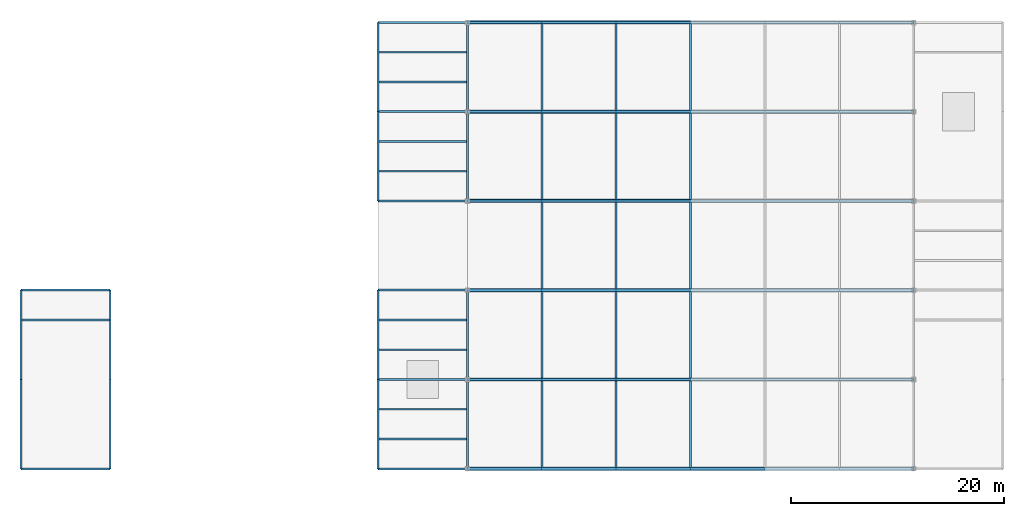
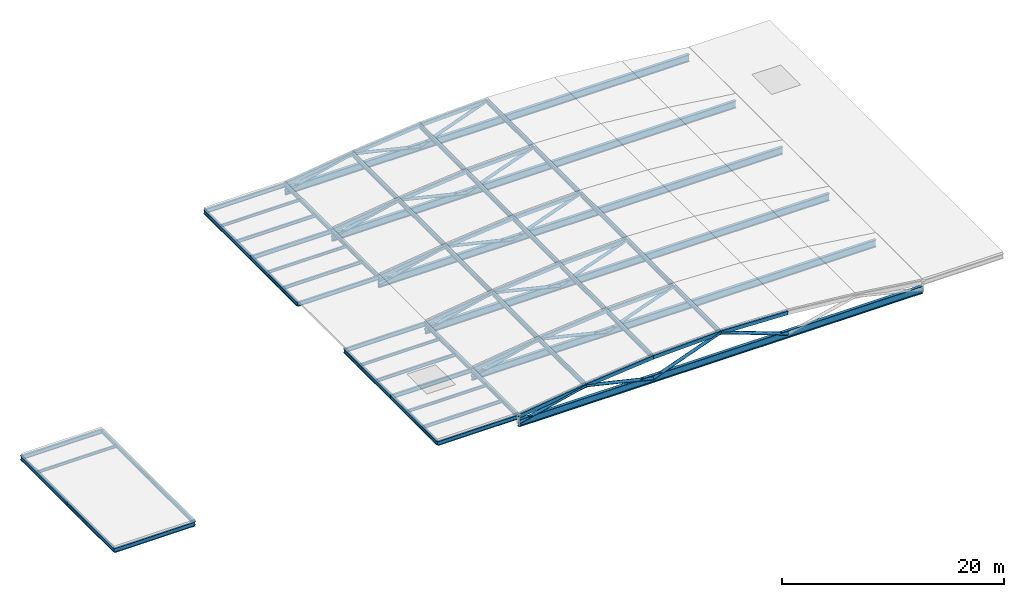
# One storey, part 1 of 11: 69 beams, 19 members.
"""IFC4 building model written with IfcOpenShell, lengths in metres."""

from ifc_helpers import new_model, si_unit, direction, frame, origin, origin_2d, place, context, subcontext, project, spatial, hollow_rectangle, hollow_circle, i_section, extrude, material, material_profile, profile_set, type_object, element, save


model = new_model("IFC4")

# Units and contexts
model_context = context("Model", 3, precision=1e-05, world=origin(), true_north=direction((0.0, 1.0)))
body_context = subcontext(model_context, "Body", "Model", "MODEL_VIEW")
ifc_project = project(units=[si_unit("LENGTHUNIT", "METRE"), si_unit("AREAUNIT", "SQUARE_METRE"), si_unit("VOLUMEUNIT", "CUBIC_METRE"), si_unit("PLANEANGLEUNIT", "RADIAN"), si_unit("MASSUNIT", "GRAM", prefix="KILO"), si_unit("THERMODYNAMICTEMPERATUREUNIT", "KELVIN"), si_unit("POWERUNIT", "WATT")], contexts=[model_context])

# Site, building, storey
site_placement = place(None, origin())
site = spatial("IfcSite", under=ifc_project, at=site_placement, CompositionType="ELEMENT")
building_placement = place(site_placement, origin())
building = spatial("IfcBuilding", under=site, at=building_placement, Name="Tembeka Court Mobility Hub", CompositionType="ELEMENT")
storey_placement = place(building_placement, frame((0.0, 0.0, 28.800048828125)))
storey = spatial("IfcBuildingStorey", under=building, at=storey_placement, Name="RF", CompositionType="ELEMENT", Elevation=28.800048828125)

# Beams
ifc_material = material(Name="Steel S355", Category="steel")
ifc_material_profile_1 = material_profile(ifc_material, i_section(OverallWidth=0.18994140625, OverallDepth=0.45703125, WebThickness=0.009033203125, FlangeThickness=0.014404296875, FilletRadius=0.01025390625, at=origin_2d()), Name="UKB 457x191x74")
ifc_profile_set_1 = profile_set([ifc_material_profile_1], Name="Steel S355")
beam_type_1 = type_object("IfcBeamType", Name="BM-B01", PredefinedType="BEAM", material=ifc_profile_set_1)
for number, where, z_axis, x_axis, name in (
    (1, (0.0, 38.39990234375, -0.45849609375), (1.0, 0.0, 0.0), (0.0, 1.0, 0.0), "Beam B01 (BM-RF-X3493)"),
    (2, (33.60009765625, 38.39990234375, -0.45849609375), (1.0, 0.0, 0.0), (0.0, 1.0, 0.0), "Beam B01 (BM-RF-X3494)"),
    (3, (33.60009765625, 46.800048828125, -0.45849609375), (1.0, 0.0, 0.0), (0.0, 1.0, 0.0), "Beam B01 (BM-RF-X3496)"),
    (4, (0.0, 55.199951171875, -0.45849609375), (1.0, 0.0, 0.0), (0.0, 1.0, 0.0), "Beam B01 (BM-RF-X3497)"),
    (5, (33.60009765625, 55.199951171875, -0.45849609375), (1.0, 0.0, 0.0), (0.0, 1.0, 0.0), "Beam B01 (BM-RF-X3498)"),
    (6, (33.60009765625, 63.60009765625, -0.45849609375), (1.0, 0.0, 0.0), (0.0, 1.0, 0.0), "Beam B01 (BM-RF-X3500)"),
    (7, (33.60009765625, 72.0, -0.45849609375), (1.0, 0.0, 0.0), (0.0, 1.0, 0.0), "Beam B01 (BM-RF-X3502)"),
    (8, (33.60009765625, 80.39990234375, -0.45849609375), (1.0, 0.0, 0.0), (0.0, 1.0, 0.0), "Beam B01 (BM-RF-X3503)"),
):
    element("IfcBeam", number, at=place(storey_placement, frame(where, z_axis=z_axis, x_axis=x_axis)), inside=storey, type_object=beam_type_1, Name=name, PredefinedType="BEAM", context=body_context, shape_type="SweptSolid", body=[
        extrude(i_section(OverallWidth=0.18994140625, OverallDepth=0.45703125, WebThickness=0.009033203125, FlangeThickness=0.014404296875, FilletRadius=0.01025390625, at=origin_2d()), origin(), (0.0, 0.0, 1.0), 8.39990234375),
    ])
ifc_material_profile_2 = material_profile(ifc_material, i_section(OverallWidth=0.177978515625, OverallDepth=0.406005859375, WebThickness=0.0078125, FlangeThickness=0.0126953125, FilletRadius=0.01025390625, at=origin_2d()), Name="UKB 406x178x60")
ifc_profile_set_2 = profile_set([ifc_material_profile_2], Name="Steel S355")
beam_type_2 = type_object("IfcBeamType", Name="BM-B02", PredefinedType="BEAM", material=ifc_profile_set_2)
beam_1_placement = place(storey_placement, frame((0.0, 38.39990234375, -0.43310546875), z_axis=(0.0, 1.0, 0.0), x_axis=(-1.0, 0.0, 0.0)))
element("IfcBeam", 9, at=beam_1_placement, inside=storey, type_object=beam_type_2, Name="Beam B02 (BM-RF-Y3505)", PredefinedType="BEAM", context=body_context, shape_type="SweptSolid", body=[
    extrude(i_section(OverallWidth=0.177978515625, OverallDepth=0.406005859375, WebThickness=0.0078125, FlangeThickness=0.0126953125, FilletRadius=0.01025390625, at=origin_2d()), origin(), (0.0, 0.0, 1.0), 8.400146484375),
])
beam_2_placement = place(storey_placement, frame((0.0, 46.800048828125, -0.43310546875), z_axis=(0.0, 1.0, 0.0), x_axis=(-1.0, 0.0, 0.0)))
element("IfcBeam", 10, at=beam_2_placement, inside=storey, type_object=beam_type_2, Name="Beam B02 (BM-RF-Y3506)", PredefinedType="BEAM", context=body_context, shape_type="SweptSolid", body=[
    extrude(i_section(OverallWidth=0.177978515625, OverallDepth=0.406005859375, WebThickness=0.0078125, FlangeThickness=0.0126953125, FilletRadius=0.01025390625, at=origin_2d()), origin(), (0.0, 0.0, 1.0), 8.39990234375),
])
beam_3_placement = place(storey_placement, frame((8.39990234375, 38.39990234375, -0.43310546875), z_axis=(0.0, 1.0, 0.0), x_axis=(-1.0, 0.0, 0.0)))
element("IfcBeam", 11, at=beam_3_placement, inside=storey, type_object=beam_type_2, Name="Beam B02 (BM-RF-Y3507)", PredefinedType="BEAM", context=body_context, shape_type="SweptSolid", body=[
    extrude(i_section(OverallWidth=0.177978515625, OverallDepth=0.406005859375, WebThickness=0.0078125, FlangeThickness=0.0126953125, FilletRadius=0.01025390625, at=origin_2d()), origin(), (0.0, 0.0, 1.0), 8.400146484375),
])
beam_4_placement = place(storey_placement, frame((8.39990234375, 46.800048828125, -0.43310546875), z_axis=(0.0, 1.0, 0.0), x_axis=(-1.0, 0.0, 0.0)))
element("IfcBeam", 12, at=beam_4_placement, inside=storey, type_object=beam_type_2, Name="Beam B02 (BM-RF-Y3508)", PredefinedType="BEAM", context=body_context, shape_type="SweptSolid", body=[
    extrude(i_section(OverallWidth=0.177978515625, OverallDepth=0.406005859375, WebThickness=0.0078125, FlangeThickness=0.0126953125, FilletRadius=0.01025390625, at=origin_2d()), origin(), (0.0, 0.0, 1.0), 8.39990234375),
])
beam_5_placement = place(storey_placement, frame((33.60009765625, 38.39990234375, -0.43310546875), z_axis=(0.0, 1.0, 0.0), x_axis=(-1.0, 0.0, 0.0)))
element("IfcBeam", 13, at=beam_5_placement, inside=storey, type_object=beam_type_2, Name="Beam B02 (BM-RF-Y3509)", PredefinedType="BEAM", context=body_context, shape_type="SweptSolid", body=[
    extrude(i_section(OverallWidth=0.177978515625, OverallDepth=0.406005859375, WebThickness=0.0078125, FlangeThickness=0.0126953125, FilletRadius=0.01025390625, at=origin_2d()), origin(), (0.0, 0.0, 1.0), 8.400146484375),
])
for number, where, z_axis, x_axis, name in (
    (14, (33.60009765625, 46.800048828125, -0.43310546875), (0.0, 1.0, 0.0), (-1.0, 0.0, 0.0), "Beam B02 (BM-RF-Y3510)"),
    (15, (33.60009765625, 63.60009765625, -0.43310546875), (0.0, 1.0, 0.0), (-1.0, 0.0, 0.0), "Beam B02 (BM-RF-Y3511)"),
    (16, (33.60009765625, 72.0, -0.43310546875), (0.0, 1.0, 0.0), (-1.0, 0.0, 0.0), "Beam B02 (BM-RF-Y3512)"),
):
    element("IfcBeam", number, at=place(storey_placement, frame(where, z_axis=z_axis, x_axis=x_axis)), inside=storey, type_object=beam_type_2, Name=name, PredefinedType="BEAM", context=body_context, shape_type="SweptSolid", body=[
        extrude(i_section(OverallWidth=0.177978515625, OverallDepth=0.406005859375, WebThickness=0.0078125, FlangeThickness=0.0126953125, FilletRadius=0.01025390625, at=origin_2d()), origin(), (0.0, 0.0, 1.0), 8.39990234375),
    ])
beam_6_placement = place(storey_placement, frame((42.0, 38.39990234375, -0.43310546875), z_axis=(0.0, 1.0, 0.0), x_axis=(-1.0, 0.0, 0.0)))
element("IfcBeam", 17, at=beam_6_placement, inside=storey, type_object=beam_type_2, Name="Beam B02 (BM-RF-Y3513)", PredefinedType="BEAM", context=body_context, shape_type="SweptSolid", body=[
    extrude(i_section(OverallWidth=0.177978515625, OverallDepth=0.406005859375, WebThickness=0.0078125, FlangeThickness=0.0126953125, FilletRadius=0.01025390625, at=origin_2d()), origin(), (0.0, 0.0, 1.0), 8.400146484375),
])
for number, where, z_axis, x_axis, name in (
    (18, (42.0, 46.800048828125, -0.43310546875), (0.0, 1.0, 0.0), (-1.0, 0.0, 0.0), "Beam B02 (BM-RF-Y3514)"),
    (19, (42.0, 63.60009765625, -0.43310546875), (0.0, 1.0, 0.0), (-1.0, 0.0, 0.0), "Beam B02 (BM-RF-Y3515)"),
    (20, (42.0, 72.0, -0.43310546875), (0.0, 1.0, 0.0), (-1.0, 0.0, 0.0), "Beam B02 (BM-RF-Y3516)"),
):
    element("IfcBeam", number, at=place(storey_placement, frame(where, z_axis=z_axis, x_axis=x_axis)), inside=storey, type_object=beam_type_2, Name=name, PredefinedType="BEAM", context=body_context, shape_type="SweptSolid", body=[
        extrude(i_section(OverallWidth=0.177978515625, OverallDepth=0.406005859375, WebThickness=0.0078125, FlangeThickness=0.0126953125, FilletRadius=0.01025390625, at=origin_2d()), origin(), (0.0, 0.0, 1.0), 8.39990234375),
    ])
ifc_material_profile_3 = material_profile(ifc_material, i_section(OverallWidth=0.18994140625, OverallDepth=0.449951171875, WebThickness=0.009521484375, FlangeThickness=0.0146484375, FilletRadius=0.02099609375, at=origin_2d()), Name="IPE 450")
ifc_profile_set_3 = profile_set([ifc_material_profile_3], Name="Steel S355")
beam_type_3 = type_object("IfcBeamType", Name="BM-B04", PredefinedType="BEAM", material=ifc_profile_set_3)
for number, where, z_axis, x_axis, name in (
    (21, (49.0, 38.52001953125, 0.474853515625), (0.0, 1.0, 0.0), (-1.0, 0.0, 0.0), "Sports vault purlin B04-1-1"),
    (22, (56.0, 38.52001953125, 1.152099609375), (0.0, 1.0, 0.0), (-1.0, 0.0, 0.0), "Sports vault purlin B04-1-2"),
    (23, (63.0, 38.52001953125, 1.39990234375), (0.0, 1.0, 0.0), (-1.0, 0.0, 0.0), "Sports vault purlin B04-1-3"),
):
    element("IfcBeam", number, at=place(storey_placement, frame(where, z_axis=z_axis, x_axis=x_axis)), inside=storey, type_object=beam_type_3, Name=name, PredefinedType="BEAM", context=body_context, shape_type="SweptSolid", body=[
        extrude(i_section(OverallWidth=0.18994140625, OverallDepth=0.449951171875, WebThickness=0.009521484375, FlangeThickness=0.0146484375, FilletRadius=0.02099609375, at=origin_2d()), origin(), (0.0, 0.0, 1.0), 8.159912109375),
    ])
for number, where, z_axis, x_axis, name in (
    (24, (49.0, 46.919921875, 0.474853515625), (0.0, 1.0, 0.0), (-1.0, 0.0, 0.0), "Sports vault purlin B04-2-1"),
    (25, (56.0, 46.919921875, 1.152099609375), (0.0, 1.0, 0.0), (-1.0, 0.0, 0.0), "Sports vault purlin B04-2-2"),
    (26, (63.0, 46.919921875, 1.39990234375), (0.0, 1.0, 0.0), (-1.0, 0.0, 0.0), "Sports vault purlin B04-2-3"),
):
    element("IfcBeam", number, at=place(storey_placement, frame(where, z_axis=z_axis, x_axis=x_axis)), inside=storey, type_object=beam_type_3, Name=name, PredefinedType="BEAM", context=body_context, shape_type="SweptSolid", body=[
        extrude(i_section(OverallWidth=0.18994140625, OverallDepth=0.449951171875, WebThickness=0.009521484375, FlangeThickness=0.0146484375, FilletRadius=0.02099609375, at=origin_2d()), origin(), (0.0, 0.0, 1.0), 8.16015625),
    ])
for number, where, z_axis, x_axis, name in (
    (27, (49.0, 55.320068359375, 0.474853515625), (0.0, 1.0, 0.0), (-1.0, 0.0, 0.0), "Sports vault purlin B04-3-1"),
    (28, (56.0, 55.320068359375, 1.152099609375), (0.0, 1.0, 0.0), (-1.0, 0.0, 0.0), "Sports vault purlin B04-3-2"),
    (29, (63.0, 55.320068359375, 1.39990234375), (0.0, 1.0, 0.0), (-1.0, 0.0, 0.0), "Sports vault purlin B04-3-3"),
    (30, (49.0, 63.719970703125, 0.474853515625), (0.0, 1.0, 0.0), (-1.0, 0.0, 0.0), "Sports vault purlin B04-4-1"),
    (31, (56.0, 63.719970703125, 1.152099609375), (0.0, 1.0, 0.0), (-1.0, 0.0, 0.0), "Sports vault purlin B04-4-2"),
    (32, (63.0, 63.719970703125, 1.39990234375), (0.0, 1.0, 0.0), (-1.0, 0.0, 0.0), "Sports vault purlin B04-4-3"),
    (33, (49.0, 72.1201171875, 0.474853515625), (0.0, 1.0, 0.0), (-1.0, 0.0, 0.0), "Sports vault purlin B04-5-1"),
    (34, (56.0, 72.1201171875, 1.152099609375), (0.0, 1.0, 0.0), (-1.0, 0.0, 0.0), "Sports vault purlin B04-5-2"),
    (35, (63.0, 72.1201171875, 1.39990234375), (0.0, 1.0, 0.0), (-1.0, 0.0, 0.0), "Sports vault purlin B04-5-3"),
):
    element("IfcBeam", number, at=place(storey_placement, frame(where, z_axis=z_axis, x_axis=x_axis)), inside=storey, type_object=beam_type_3, Name=name, PredefinedType="BEAM", context=body_context, shape_type="SweptSolid", body=[
        extrude(i_section(OverallWidth=0.18994140625, OverallDepth=0.449951171875, WebThickness=0.009521484375, FlangeThickness=0.0146484375, FilletRadius=0.02099609375, at=origin_2d()), origin(), (0.0, 0.0, 1.0), 8.159912109375),
    ])
ifc_material_profile_4 = material_profile(ifc_material, i_section(OverallWidth=0.300048828125, OverallDepth=0.800048828125, WebThickness=0.017578125, FlangeThickness=0.034912109375, FilletRadius=0.030029296875, at=origin_2d()), Name="HEB 800")
ifc_profile_set_4 = profile_set([ifc_material_profile_4], Name="Steel S355")
beam_type_4 = type_object("IfcBeamType", Name="BM-G04", PredefinedType="USERDEFINED", material=ifc_profile_set_4)
for number, where, z_axis, x_axis, name in (
    (36, (42.0, 38.39990234375, -1.150146484375), (1.0, 0.0, 0.0), (0.0, 1.0, 0.0), "Sports hall arch tie girder G04-1"),
    (37, (42.0, 46.800048828125, -1.150146484375), (1.0, 0.0, 0.0), (0.0, 1.0, 0.0), "Sports hall arch tie girder G04-2"),
    (38, (42.0, 55.199951171875, -1.150146484375), (1.0, 0.0, 0.0), (0.0, 1.0, 0.0), "Sports hall arch tie girder G04-3"),
    (39, (42.0, 63.60009765625, -1.150146484375), (1.0, 0.0, 0.0), (0.0, 1.0, 0.0), "Sports hall arch tie girder G04-4"),
    (40, (42.0, 72.0, -1.150146484375), (1.0, 0.0, 0.0), (0.0, 1.0, 0.0), "Sports hall arch tie girder G04-5"),
    (41, (42.0, 80.39990234375, -1.150146484375), (1.0, 0.0, 0.0), (0.0, 1.0, 0.0), "Sports hall arch tie girder G04-6"),
):
    element("IfcBeam", number, at=place(storey_placement, frame(where, z_axis=z_axis, x_axis=x_axis)), inside=storey, type_object=beam_type_4, Name=name, ObjectType="GIRDER", PredefinedType="USERDEFINED", context=body_context, shape_type="SweptSolid", body=[
        extrude(i_section(OverallWidth=0.300048828125, OverallDepth=0.800048828125, WebThickness=0.017578125, FlangeThickness=0.034912109375, FilletRadius=0.030029296875, at=origin_2d()), origin(), (0.0, 0.0, 1.0), 42.0),
    ])
ifc_material_profile_5 = material_profile(ifc_material, i_section(OverallWidth=0.1650390625, OverallDepth=0.303955078125, WebThickness=0.006103515625, FlangeThickness=0.01025390625, FilletRadius=0.0087890625, at=origin_2d()), Name="UKB 305x165x40")
ifc_profile_set_5 = profile_set([ifc_material_profile_5], Name="Steel S355")
beam_type_5 = type_object("IfcBeamType", Name="BM-J02", PredefinedType="JOIST", material=ifc_profile_set_5)
for number, where, z_axis, x_axis, name in (
    (42, (0.083984375, 52.39990234375, -0.382080078125), (1.0, 0.0, 0.0), (0.0, 1.0, 0.0), "Beam J02 (JST-RF-3527)"),
    (43, (33.68408203125, 44.0, -0.382080078125), (1.0, 0.0, 0.0), (0.0, 1.0, 0.0), "Beam J02 (JST-RF-3529)"),
    (44, (33.68408203125, 52.39990234375, -0.382080078125), (1.0, 0.0, 0.0), (0.0, 1.0, 0.0), "Beam J02 (JST-RF-3531)"),
    (45, (33.68408203125, 69.199951171875, -0.382080078125), (1.0, 0.0, 0.0), (0.0, 1.0, 0.0), "Beam J02 (JST-RF-3533)"),
    (46, (33.68408203125, 77.60009765625, -0.382080078125), (1.0, 0.0, 0.0), (0.0, 1.0, 0.0), "Beam J02 (JST-RF-3535)"),
):
    element("IfcBeam", number, at=place(storey_placement, frame(where, z_axis=z_axis, x_axis=x_axis)), inside=storey, type_object=beam_type_5, Name=name, PredefinedType="JOIST", context=body_context, shape_type="SweptSolid", body=[
        extrude(i_section(OverallWidth=0.1650390625, OverallDepth=0.303955078125, WebThickness=0.006103515625, FlangeThickness=0.01025390625, FilletRadius=0.0087890625, at=origin_2d()), origin(), (0.0, 0.0, 1.0), 8.23193359375),
    ])
ifc_material_profile_6 = material_profile(ifc_material, i_section(OverallWidth=0.169921875, OverallDepth=0.360107421875, WebThickness=0.008056640625, FlangeThickness=0.0126953125, FilletRadius=0.01806640625, at=origin_2d()), Name="IPE 360")
ifc_profile_set_6 = profile_set([ifc_material_profile_6], Name="Steel S355")
beam_type_6 = type_object("IfcBeamType", Name="BM-J03", PredefinedType="JOIST", material=ifc_profile_set_6)
for number, where, z_axis, x_axis, name in (
    (47, (33.68408203125, 41.199951171875, -0.41015625), (1.0, 0.0, 0.0), (0.0, 1.0, 0.0), "Beam J03 (JST-RF-3528)"),
    (48, (33.68408203125, 49.60009765625, -0.41015625), (1.0, 0.0, 0.0), (0.0, 1.0, 0.0), "Beam J03 (JST-RF-3530)"),
    (49, (33.68408203125, 66.39990234375, -0.41015625), (1.0, 0.0, 0.0), (0.0, 1.0, 0.0), "Beam J03 (JST-RF-3532)"),
    (50, (33.68408203125, 74.800048828125, -0.41015625), (1.0, 0.0, 0.0), (0.0, 1.0, 0.0), "Beam J03 (JST-RF-3534)"),
):
    element("IfcBeam", number, at=place(storey_placement, frame(where, z_axis=z_axis, x_axis=x_axis)), inside=storey, type_object=beam_type_6, Name=name, PredefinedType="JOIST", context=body_context, shape_type="SweptSolid", body=[
        extrude(i_section(OverallWidth=0.169921875, OverallDepth=0.360107421875, WebThickness=0.008056640625, FlangeThickness=0.0126953125, FilletRadius=0.01806640625, at=origin_2d()), origin(), (0.0, 0.0, 1.0), 8.23193359375),
    ])
ifc_material_profile_7 = material_profile(ifc_material, hollow_rectangle(XDim=0.199951171875, YDim=0.39990234375, WallThickness=0.012451171875, at=origin_2d()), Name="RHS 400x200x12.5")
ifc_profile_set_7 = profile_set([ifc_material_profile_7], Name="Steel S355")
beam_type_7 = type_object("IfcBeamType", Name="BM-RB02", PredefinedType="BEAM", material=ifc_profile_set_7)
beam_7_placement = place(storey_placement, frame((42.0, 38.39990234375, -0.420166015625), z_axis=(0.991380937755, 0.0, 0.131010824957), x_axis=(0.0, 1.0, 0.0)))
element("IfcBeam", 51, at=beam_7_placement, inside=storey, type_object=beam_type_7, Name="Sports hall arch rib RB02-1-1", PredefinedType="BEAM", context=body_context, shape_type="SweptSolid", body=[
    extrude(hollow_rectangle(XDim=0.199951171875, YDim=0.39990234375, WallThickness=0.012451171875, at=origin_2d()), origin(), (0.0, 0.0, 1.0), 7.060791015625),
])
beam_8_placement = place(storey_placement, frame((49.0, 38.39990234375, 0.5048828125), z_axis=(0.995352375317, 0.0, 0.09629978687), x_axis=(0.0, 1.0, 0.0)))
element("IfcBeam", 52, at=beam_8_placement, inside=storey, type_object=beam_type_7, Name="Sports hall arch rib RB02-1-2", PredefinedType="BEAM", context=body_context, shape_type="SweptSolid", body=[
    extrude(hollow_rectangle(XDim=0.199951171875, YDim=0.39990234375, WallThickness=0.012451171875, at=origin_2d()), origin(), (0.0, 0.0, 1.0), 7.03271484375),
])
for number, where, z_axis, x_axis, name in (
    (53, (56.0, 38.39990234375, 1.18212890625), (0.999373994487, 0.0, 0.035378229785), (0.0, 1.0, 0.0), "Sports hall arch rib RB02-1-3"),
    (54, (63.0, 38.39990234375, 1.429931640625), (0.999373994487, 0.0, -0.035378229785), (0.0, 1.0, 0.0), "Sports hall arch rib RB02-1-4"),
):
    element("IfcBeam", number, at=place(storey_placement, frame(where, z_axis=z_axis, x_axis=x_axis)), inside=storey, type_object=beam_type_7, Name=name, PredefinedType="BEAM", context=body_context, shape_type="SweptSolid", body=[
        extrude(hollow_rectangle(XDim=0.199951171875, YDim=0.39990234375, WallThickness=0.012451171875, at=origin_2d()), origin(), (0.0, 0.0, 1.0), 7.00439453125),
    ])
beam_9_placement = place(storey_placement, frame((42.0, 46.800048828125, -0.420166015625), z_axis=(0.991380937755, 0.0, 0.131010824957), x_axis=(0.0, 1.0, 0.0)))
element("IfcBeam", 55, at=beam_9_placement, inside=storey, type_object=beam_type_7, Name="Sports hall arch rib RB02-2-1", PredefinedType="BEAM", context=body_context, shape_type="SweptSolid", body=[
    extrude(hollow_rectangle(XDim=0.199951171875, YDim=0.39990234375, WallThickness=0.012451171875, at=origin_2d()), origin(), (0.0, 0.0, 1.0), 7.060791015625),
])
beam_10_placement = place(storey_placement, frame((49.0, 46.800048828125, 0.5048828125), z_axis=(0.995352375317, 0.0, 0.09629978687), x_axis=(0.0, 1.0, 0.0)))
element("IfcBeam", 56, at=beam_10_placement, inside=storey, type_object=beam_type_7, Name="Sports hall arch rib RB02-2-2", PredefinedType="BEAM", context=body_context, shape_type="SweptSolid", body=[
    extrude(hollow_rectangle(XDim=0.199951171875, YDim=0.39990234375, WallThickness=0.012451171875, at=origin_2d()), origin(), (0.0, 0.0, 1.0), 7.03271484375),
])
beam_11_placement = place(storey_placement, frame((56.0, 46.800048828125, 1.18212890625), z_axis=(0.999373994487, 0.0, 0.035378229785), x_axis=(0.0, 1.0, 0.0)))
element("IfcBeam", 57, at=beam_11_placement, inside=storey, type_object=beam_type_7, Name="Sports hall arch rib RB02-2-3", PredefinedType="BEAM", context=body_context, shape_type="SweptSolid", body=[
    extrude(hollow_rectangle(XDim=0.199951171875, YDim=0.39990234375, WallThickness=0.012451171875, at=origin_2d()), origin(), (0.0, 0.0, 1.0), 7.00439453125),
])
beam_12_placement = place(storey_placement, frame((42.0, 55.199951171875, -0.420166015625), z_axis=(0.991380937755, 0.0, 0.131010824957), x_axis=(0.0, 1.0, 0.0)))
element("IfcBeam", 58, at=beam_12_placement, inside=storey, type_object=beam_type_7, Name="Sports hall arch rib RB02-3-1", PredefinedType="BEAM", context=body_context, shape_type="SweptSolid", body=[
    extrude(hollow_rectangle(XDim=0.199951171875, YDim=0.39990234375, WallThickness=0.012451171875, at=origin_2d()), origin(), (0.0, 0.0, 1.0), 7.060791015625),
])
beam_13_placement = place(storey_placement, frame((49.0, 55.199951171875, 0.5048828125), z_axis=(0.995352375317, 0.0, 0.09629978687), x_axis=(0.0, 1.0, 0.0)))
element("IfcBeam", 59, at=beam_13_placement, inside=storey, type_object=beam_type_7, Name="Sports hall arch rib RB02-3-2", PredefinedType="BEAM", context=body_context, shape_type="SweptSolid", body=[
    extrude(hollow_rectangle(XDim=0.199951171875, YDim=0.39990234375, WallThickness=0.012451171875, at=origin_2d()), origin(), (0.0, 0.0, 1.0), 7.03271484375),
])
beam_14_placement = place(storey_placement, frame((56.0, 55.199951171875, 1.18212890625), z_axis=(0.999373994487, 0.0, 0.035378229785), x_axis=(0.0, 1.0, 0.0)))
element("IfcBeam", 60, at=beam_14_placement, inside=storey, type_object=beam_type_7, Name="Sports hall arch rib RB02-3-3", PredefinedType="BEAM", context=body_context, shape_type="SweptSolid", body=[
    extrude(hollow_rectangle(XDim=0.199951171875, YDim=0.39990234375, WallThickness=0.012451171875, at=origin_2d()), origin(), (0.0, 0.0, 1.0), 7.00439453125),
])
beam_15_placement = place(storey_placement, frame((42.0, 63.60009765625, -0.420166015625), z_axis=(0.991380937755, 0.0, 0.131010824957), x_axis=(0.0, 1.0, 0.0)))
element("IfcBeam", 61, at=beam_15_placement, inside=storey, type_object=beam_type_7, Name="Sports hall arch rib RB02-4-1", PredefinedType="BEAM", context=body_context, shape_type="SweptSolid", body=[
    extrude(hollow_rectangle(XDim=0.199951171875, YDim=0.39990234375, WallThickness=0.012451171875, at=origin_2d()), origin(), (0.0, 0.0, 1.0), 7.060791015625),
])
beam_16_placement = place(storey_placement, frame((49.0, 63.60009765625, 0.5048828125), z_axis=(0.995352375317, 0.0, 0.09629978687), x_axis=(0.0, 1.0, 0.0)))
element("IfcBeam", 62, at=beam_16_placement, inside=storey, type_object=beam_type_7, Name="Sports hall arch rib RB02-4-2", PredefinedType="BEAM", context=body_context, shape_type="SweptSolid", body=[
    extrude(hollow_rectangle(XDim=0.199951171875, YDim=0.39990234375, WallThickness=0.012451171875, at=origin_2d()), origin(), (0.0, 0.0, 1.0), 7.03271484375),
])
beam_17_placement = place(storey_placement, frame((56.0, 63.60009765625, 1.18212890625), z_axis=(0.999373994487, 0.0, 0.035378229785), x_axis=(0.0, 1.0, 0.0)))
element("IfcBeam", 63, at=beam_17_placement, inside=storey, type_object=beam_type_7, Name="Sports hall arch rib RB02-4-3", PredefinedType="BEAM", context=body_context, shape_type="SweptSolid", body=[
    extrude(hollow_rectangle(XDim=0.199951171875, YDim=0.39990234375, WallThickness=0.012451171875, at=origin_2d()), origin(), (0.0, 0.0, 1.0), 7.00439453125),
])
beam_18_placement = place(storey_placement, frame((42.0, 72.0, -0.420166015625), z_axis=(0.991380937755, 0.0, 0.131010824957), x_axis=(0.0, 1.0, 0.0)))
element("IfcBeam", 64, at=beam_18_placement, inside=storey, type_object=beam_type_7, Name="Sports hall arch rib RB02-5-1", PredefinedType="BEAM", context=body_context, shape_type="SweptSolid", body=[
    extrude(hollow_rectangle(XDim=0.199951171875, YDim=0.39990234375, WallThickness=0.012451171875, at=origin_2d()), origin(), (0.0, 0.0, 1.0), 7.060791015625),
])
beam_19_placement = place(storey_placement, frame((49.0, 72.0, 0.5048828125), z_axis=(0.995352375317, 0.0, 0.09629978687), x_axis=(0.0, 1.0, 0.0)))
element("IfcBeam", 65, at=beam_19_placement, inside=storey, type_object=beam_type_7, Name="Sports hall arch rib RB02-5-2", PredefinedType="BEAM", context=body_context, shape_type="SweptSolid", body=[
    extrude(hollow_rectangle(XDim=0.199951171875, YDim=0.39990234375, WallThickness=0.012451171875, at=origin_2d()), origin(), (0.0, 0.0, 1.0), 7.03271484375),
])
beam_20_placement = place(storey_placement, frame((56.0, 72.0, 1.18212890625), z_axis=(0.999373994487, 0.0, 0.035378229785), x_axis=(0.0, 1.0, 0.0)))
element("IfcBeam", 66, at=beam_20_placement, inside=storey, type_object=beam_type_7, Name="Sports hall arch rib RB02-5-3", PredefinedType="BEAM", context=body_context, shape_type="SweptSolid", body=[
    extrude(hollow_rectangle(XDim=0.199951171875, YDim=0.39990234375, WallThickness=0.012451171875, at=origin_2d()), origin(), (0.0, 0.0, 1.0), 7.00439453125),
])
beam_21_placement = place(storey_placement, frame((42.0, 80.39990234375, -0.420166015625), z_axis=(0.991380937755, 0.0, 0.131010824957), x_axis=(0.0, 1.0, 0.0)))
element("IfcBeam", 67, at=beam_21_placement, inside=storey, type_object=beam_type_7, Name="Sports hall arch rib RB02-6-1", PredefinedType="BEAM", context=body_context, shape_type="SweptSolid", body=[
    extrude(hollow_rectangle(XDim=0.199951171875, YDim=0.39990234375, WallThickness=0.012451171875, at=origin_2d()), origin(), (0.0, 0.0, 1.0), 7.060791015625),
])
beam_22_placement = place(storey_placement, frame((49.0, 80.39990234375, 0.5048828125), z_axis=(0.995352375317, 0.0, 0.09629978687), x_axis=(0.0, 1.0, 0.0)))
element("IfcBeam", 68, at=beam_22_placement, inside=storey, type_object=beam_type_7, Name="Sports hall arch rib RB02-6-2", PredefinedType="BEAM", context=body_context, shape_type="SweptSolid", body=[
    extrude(hollow_rectangle(XDim=0.199951171875, YDim=0.39990234375, WallThickness=0.012451171875, at=origin_2d()), origin(), (0.0, 0.0, 1.0), 7.03271484375),
])
beam_23_placement = place(storey_placement, frame((56.0, 80.39990234375, 1.18212890625), z_axis=(0.999373994487, 0.0, 0.035378229785), x_axis=(0.0, 1.0, 0.0)))
element("IfcBeam", 69, at=beam_23_placement, inside=storey, type_object=beam_type_7, Name="Sports hall arch rib RB02-6-3", PredefinedType="BEAM", context=body_context, shape_type="SweptSolid", body=[
    extrude(hollow_rectangle(XDim=0.199951171875, YDim=0.39990234375, WallThickness=0.012451171875, at=origin_2d()), origin(), (0.0, 0.0, 1.0), 7.00439453125),
])

# Members
ifc_material_profile_8 = material_profile(ifc_material, hollow_circle(Radius=0.161865234375, WallThickness=0.012451171875, at=origin_2d()), Name="CHS 323.9x12.5")
ifc_profile_set_8 = profile_set([ifc_material_profile_8], Name="Steel S355")
member_type = type_object("IfcMemberType", Name="MEM-ST01", PredefinedType="STRUT", material=ifc_profile_set_8)
for number, where, z_axis, x_axis, name in (
    (70, (42.0, 38.39990234375, -1.150146484375), (0.973169552755, 0.0, 0.230089160091), (0.0, 1.0, 0.0), "Sports hall arch diagonal web SR01-1-1"),
    (71, (56.0, 38.39990234375, -1.150146484375), (-0.973169552755, 0.0, 0.230089160091), (0.0, -1.0, 0.0), "Sports hall arch diagonal web SR01-1-2"),
):
    element("IfcMember", number, at=place(storey_placement, frame(where, z_axis=z_axis, x_axis=x_axis)), inside=storey, type_object=member_type, Name=name, PredefinedType="STRUT", context=body_context, shape_type="SweptSolid", body=[
        extrude(hollow_circle(Radius=0.161865234375, WallThickness=0.012451171875, at=origin_2d()), origin(), (0.0, 0.0, 1.0), 7.19287109375),
    ])
for number, where, z_axis, x_axis, name in (
    (72, (56.0, 38.39990234375, -1.150146484375), (0.938293939866, 0.0, 0.345838809867), (0.0, 1.0, 0.0), "Sports hall arch diagonal web SR01-1-3"),
    (73, (70.0, 38.39990234375, -1.150146484375), (-0.938293939866, 0.0, 0.345838809867), (0.0, -1.0, 0.0), "Sports hall arch diagonal web SR01-1-4"),
):
    element("IfcMember", number, at=place(storey_placement, frame(where, z_axis=z_axis, x_axis=x_axis)), inside=storey, type_object=member_type, Name=name, PredefinedType="STRUT", context=body_context, shape_type="SweptSolid", body=[
        extrude(hollow_circle(Radius=0.161865234375, WallThickness=0.012451171875, at=origin_2d()), origin(), (0.0, 0.0, 1.0), 7.46044921875),
    ])
for number, where, z_axis, x_axis, name in (
    (74, (42.0, 46.800048828125, -1.150146484375), (0.973169552755, 0.0, 0.230089160091), (0.0, 1.0, 0.0), "Sports hall arch diagonal web SR01-2-1"),
    (75, (56.0, 46.800048828125, -1.150146484375), (-0.973169552755, 0.0, 0.230089160091), (0.0, -1.0, 0.0), "Sports hall arch diagonal web SR01-2-2"),
):
    element("IfcMember", number, at=place(storey_placement, frame(where, z_axis=z_axis, x_axis=x_axis)), inside=storey, type_object=member_type, Name=name, PredefinedType="STRUT", context=body_context, shape_type="SweptSolid", body=[
        extrude(hollow_circle(Radius=0.161865234375, WallThickness=0.012451171875, at=origin_2d()), origin(), (0.0, 0.0, 1.0), 7.19287109375),
    ])
member_1_placement = place(storey_placement, frame((56.0, 46.800048828125, -1.150146484375), z_axis=(0.938293939866, 0.0, 0.345838809867), x_axis=(0.0, 1.0, 0.0)))
element("IfcMember", 76, at=member_1_placement, inside=storey, type_object=member_type, Name="Sports hall arch diagonal web SR01-2-3", PredefinedType="STRUT", context=body_context, shape_type="SweptSolid", body=[
    extrude(hollow_circle(Radius=0.161865234375, WallThickness=0.012451171875, at=origin_2d()), origin(), (0.0, 0.0, 1.0), 7.46044921875),
])
for number, where, z_axis, x_axis, name in (
    (77, (42.0, 55.199951171875, -1.150146484375), (0.973169552755, 0.0, 0.230089160091), (0.0, 1.0, 0.0), "Sports hall arch diagonal web SR01-3-1"),
    (78, (56.0, 55.199951171875, -1.150146484375), (-0.973169552755, 0.0, 0.230089160091), (0.0, -1.0, 0.0), "Sports hall arch diagonal web SR01-3-2"),
):
    element("IfcMember", number, at=place(storey_placement, frame(where, z_axis=z_axis, x_axis=x_axis)), inside=storey, type_object=member_type, Name=name, PredefinedType="STRUT", context=body_context, shape_type="SweptSolid", body=[
        extrude(hollow_circle(Radius=0.161865234375, WallThickness=0.012451171875, at=origin_2d()), origin(), (0.0, 0.0, 1.0), 7.19287109375),
    ])
member_2_placement = place(storey_placement, frame((56.0, 55.199951171875, -1.150146484375), z_axis=(0.938293939866, 0.0, 0.345838809867), x_axis=(0.0, 1.0, 0.0)))
element("IfcMember", 79, at=member_2_placement, inside=storey, type_object=member_type, Name="Sports hall arch diagonal web SR01-3-3", PredefinedType="STRUT", context=body_context, shape_type="SweptSolid", body=[
    extrude(hollow_circle(Radius=0.161865234375, WallThickness=0.012451171875, at=origin_2d()), origin(), (0.0, 0.0, 1.0), 7.46044921875),
])
for number, where, z_axis, x_axis, name in (
    (80, (42.0, 63.60009765625, -1.150146484375), (0.973169552755, 0.0, 0.230089160091), (0.0, 1.0, 0.0), "Sports hall arch diagonal web SR01-4-1"),
    (81, (56.0, 63.60009765625, -1.150146484375), (-0.973169552755, 0.0, 0.230089160091), (0.0, -1.0, 0.0), "Sports hall arch diagonal web SR01-4-2"),
):
    element("IfcMember", number, at=place(storey_placement, frame(where, z_axis=z_axis, x_axis=x_axis)), inside=storey, type_object=member_type, Name=name, PredefinedType="STRUT", context=body_context, shape_type="SweptSolid", body=[
        extrude(hollow_circle(Radius=0.161865234375, WallThickness=0.012451171875, at=origin_2d()), origin(), (0.0, 0.0, 1.0), 7.19287109375),
    ])
member_3_placement = place(storey_placement, frame((56.0, 63.60009765625, -1.150146484375), z_axis=(0.938293939866, 0.0, 0.345838809867), x_axis=(0.0, 1.0, 0.0)))
element("IfcMember", 82, at=member_3_placement, inside=storey, type_object=member_type, Name="Sports hall arch diagonal web SR01-4-3", PredefinedType="STRUT", context=body_context, shape_type="SweptSolid", body=[
    extrude(hollow_circle(Radius=0.161865234375, WallThickness=0.012451171875, at=origin_2d()), origin(), (0.0, 0.0, 1.0), 7.46044921875),
])
for number, where, z_axis, x_axis, name in (
    (83, (42.0, 72.0, -1.150146484375), (0.973169552755, 0.0, 0.230089160091), (0.0, 1.0, 0.0), "Sports hall arch diagonal web SR01-5-1"),
    (84, (56.0, 72.0, -1.150146484375), (-0.973169552755, 0.0, 0.230089160091), (0.0, -1.0, 0.0), "Sports hall arch diagonal web SR01-5-2"),
):
    element("IfcMember", number, at=place(storey_placement, frame(where, z_axis=z_axis, x_axis=x_axis)), inside=storey, type_object=member_type, Name=name, PredefinedType="STRUT", context=body_context, shape_type="SweptSolid", body=[
        extrude(hollow_circle(Radius=0.161865234375, WallThickness=0.012451171875, at=origin_2d()), origin(), (0.0, 0.0, 1.0), 7.19287109375),
    ])
member_4_placement = place(storey_placement, frame((56.0, 72.0, -1.150146484375), z_axis=(0.938293939866, 0.0, 0.345838809867), x_axis=(0.0, 1.0, 0.0)))
element("IfcMember", 85, at=member_4_placement, inside=storey, type_object=member_type, Name="Sports hall arch diagonal web SR01-5-3", PredefinedType="STRUT", context=body_context, shape_type="SweptSolid", body=[
    extrude(hollow_circle(Radius=0.161865234375, WallThickness=0.012451171875, at=origin_2d()), origin(), (0.0, 0.0, 1.0), 7.46044921875),
])
for number, where, z_axis, x_axis, name in (
    (86, (42.0, 80.39990234375, -1.150146484375), (0.973169552755, 0.0, 0.230089160091), (0.0, 1.0, 0.0), "Sports hall arch diagonal web SR01-6-1"),
    (87, (56.0, 80.39990234375, -1.150146484375), (-0.973169552755, 0.0, 0.230089160091), (0.0, -1.0, 0.0), "Sports hall arch diagonal web SR01-6-2"),
):
    element("IfcMember", number, at=place(storey_placement, frame(where, z_axis=z_axis, x_axis=x_axis)), inside=storey, type_object=member_type, Name=name, PredefinedType="STRUT", context=body_context, shape_type="SweptSolid", body=[
        extrude(hollow_circle(Radius=0.161865234375, WallThickness=0.012451171875, at=origin_2d()), origin(), (0.0, 0.0, 1.0), 7.19287109375),
    ])
member_5_placement = place(storey_placement, frame((56.0, 80.39990234375, -1.150146484375), z_axis=(0.938293939866, 0.0, 0.345838809867), x_axis=(0.0, 1.0, 0.0)))
element("IfcMember", 88, at=member_5_placement, inside=storey, type_object=member_type, Name="Sports hall arch diagonal web SR01-6-3", PredefinedType="STRUT", context=body_context, shape_type="SweptSolid", body=[
    extrude(hollow_circle(Radius=0.161865234375, WallThickness=0.012451171875, at=origin_2d()), origin(), (0.0, 0.0, 1.0), 7.46044921875),
])

save(model, "model.ifc")
